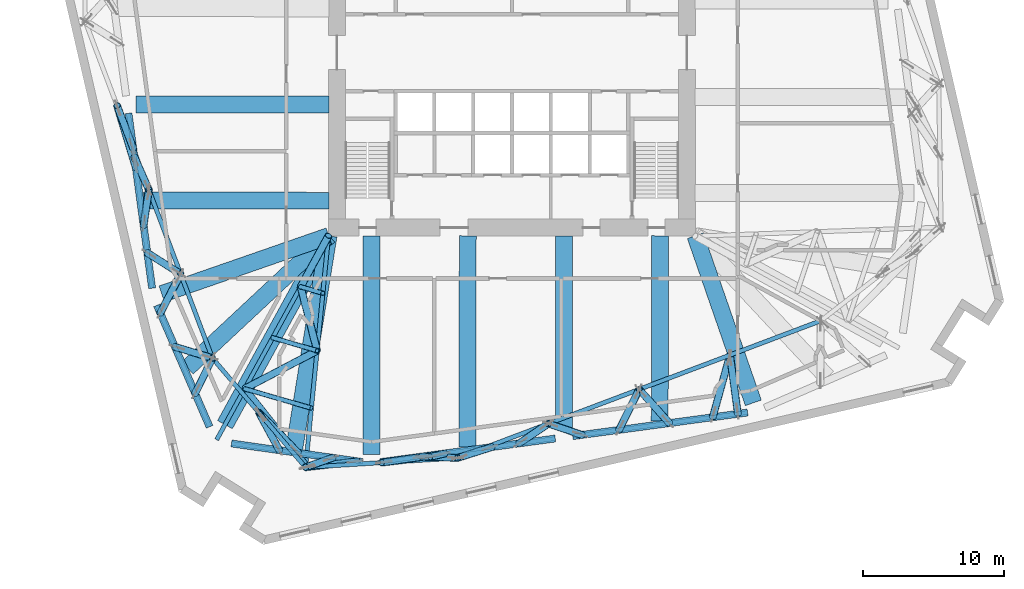
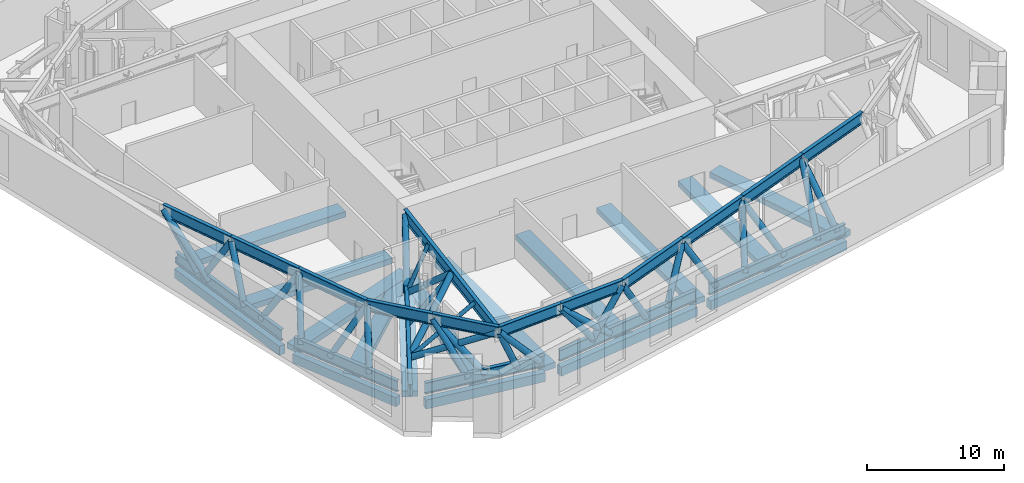
# One storey, part 1 of 17: 34 beams, 30 members.
"""IFC4 building model written with IfcOpenShell, lengths in metres."""

from ifc_helpers import new_model, si_unit, direction, frame, origin, origin_2d, place, context, subcontext, project, spatial, rectangle, hollow_circle, i_section, extrude, material, material_profile, profile_set, type_object, element, save


model = new_model("IFC4")

# Units and contexts
model_context = context("Model", 3, precision=1e-05, world=origin(), true_north=direction((0.0, 1.0)))
body_context = subcontext(model_context, "Body", "Model", "MODEL_VIEW")
ifc_project = project(units=[si_unit("LENGTHUNIT", "METRE"), si_unit("AREAUNIT", "SQUARE_METRE"), si_unit("VOLUMEUNIT", "CUBIC_METRE"), si_unit("PLANEANGLEUNIT", "RADIAN"), si_unit("MASSUNIT", "GRAM", prefix="KILO")], contexts=[model_context])

# Site, building, storey
site_placement = place(None, origin())
site = spatial("IfcSite", under=ifc_project, at=site_placement, CompositionType="ELEMENT")
building_placement = place(site_placement, origin())
building = spatial("IfcBuilding", under=site, at=building_placement, Name="Dilmun Exchange Tower", CompositionType="ELEMENT")
storey_placement = place(building_placement, frame((0.0, 0.0, 76.5)))
storey = spatial("IfcBuildingStorey", under=building, at=storey_placement, Name="L17", CompositionType="ELEMENT", Elevation=76.5)

# Beams
ifc_material_1 = material(Name="Concrete C40/50", Category="concrete")
ifc_material_profile_1 = material_profile(ifc_material_1, rectangle(XDim=1.199951171875, YDim=0.5, at=origin_2d()), Name="1200 x 500")
ifc_profile_set_1 = profile_set([ifc_material_profile_1], Name="Concrete C40/50")
beam_type_1 = type_object("IfcBeamType", Name="RC band beam 1200 x 500 C40/50", PredefinedType="BEAM", material=ifc_profile_set_1)
beam_1_placement = place(storey_placement, frame((-26.6240234375, -3.680908203125, -0.699951171875), z_axis=(1.0, 0.0, 0.0), x_axis=(0.0, 1.0, 0.0)))
element("IfcBeam", 1, at=beam_1_placement, inside=storey, type_object=beam_type_1, Name="Band beam 7", PredefinedType="BEAM", context=body_context, shape_type="SweptSolid", body=[
    extrude(rectangle(XDim=1.199951171875, YDim=0.5, at=origin_2d()), origin(), (0.0, 0.0, 1.0), 13.651123046875),
])
beam_2_placement = place(storey_placement, frame((-24.81103515625, -17.098388671875, -0.699951171875), z_axis=(0.94474023201, 0.327819910959, 0.0), x_axis=(-0.327819910959, 0.94474023201, 0.0)))
element("IfcBeam", 2, at=beam_2_placement, inside=storey, type_object=beam_type_1, Name="Band beam 8", PredefinedType="BEAM", context=body_context, shape_type="SweptSolid", body=[
    extrude(rectangle(XDim=1.199951171875, YDim=0.5, at=origin_2d()), origin(), (0.0, 0.0, 1.0), 12.52880859375),
])
beam_3_placement = place(storey_placement, frame((-20.333740234375, -26.355712890625, -0.699951171875), z_axis=(0.481315683699, 0.876547324806, 0.0), x_axis=(-0.876547324806, 0.481315683699, 0.0)))
element("IfcBeam", 3, at=beam_3_placement, inside=storey, type_object=beam_type_1, Name="Band beam 9", PredefinedType="BEAM", context=body_context, shape_type="SweptSolid", body=[
    extrude(rectangle(XDim=1.199951171875, YDim=0.5, at=origin_2d()), origin(), (0.0, 0.0, 1.0), 15.263671875),
])
beam_4_placement = place(storey_placement, frame((-9.945068359375, -28.464111328125, -0.699951171875), z_axis=(0.0, 1.0, 0.0), x_axis=(-1.0, 0.0, 0.0)))
element("IfcBeam", 4, at=beam_4_placement, inside=storey, type_object=beam_type_1, Name="Band beam 10", PredefinedType="BEAM", context=body_context, shape_type="SweptSolid", body=[
    extrude(rectangle(XDim=1.199951171875, YDim=0.5, at=origin_2d()), origin(), (0.0, 0.0, 1.0), 15.4912109375),
])
beam_5_placement = place(storey_placement, frame((3.680908203125, -26.6240234375, -0.699951171875), z_axis=(0.0, 1.0, 0.0), x_axis=(-1.0, 0.0, 0.0)))
element("IfcBeam", 5, at=beam_5_placement, inside=storey, type_object=beam_type_1, Name="Band beam 11", PredefinedType="BEAM", context=body_context, shape_type="SweptSolid", body=[
    extrude(rectangle(XDim=1.199951171875, YDim=0.5, at=origin_2d()), origin(), (0.0, 0.0, 1.0), 13.651123046875),
])
beam_6_placement = place(storey_placement, frame((17.098388671875, -24.81103515625, -0.699951171875), z_axis=(-0.327819910959, 0.94474023201, 0.0), x_axis=(-0.94474023201, -0.327819910959, 0.0)))
element("IfcBeam", 6, at=beam_6_placement, inside=storey, type_object=beam_type_1, Name="Band beam 12", PredefinedType="BEAM", context=body_context, shape_type="SweptSolid", body=[
    extrude(rectangle(XDim=1.199951171875, YDim=0.5, at=origin_2d()), origin(), (0.0, 0.0, 1.0), 12.52880859375),
])
beam_7_placement = place(storey_placement, frame((-26.111572265625, -10.464111328125, -0.699951171875), z_axis=(0.999997430402, -0.002266977971, 0.0), x_axis=(0.002266977971, 0.999997430402, 0.0)))
element("IfcBeam", 7, at=beam_7_placement, inside=storey, type_object=beam_type_1, Name="Band beam 23", PredefinedType="BEAM", context=body_context, shape_type="SweptSolid", body=[
    extrude(rectangle(XDim=1.199951171875, YDim=0.5, at=origin_2d()), origin(), (0.0, 0.0, 1.0), 13.138671875),
])
beam_8_placement = place(storey_placement, frame((-22.990966796875, -22.330322265625, -0.699951171875), z_axis=(0.730863195253, 0.682523984798, 0.0), x_axis=(-0.682523984798, 0.730863195253, 0.0)))
element("IfcBeam", 8, at=beam_8_placement, inside=storey, type_object=beam_type_1, Name="Band beam 24", PredefinedType="BEAM", context=body_context, shape_type="SweptSolid", body=[
    extrude(rectangle(XDim=1.199951171875, YDim=0.5, at=origin_2d()), origin(), (0.0, 0.0, 1.0), 13.697265625),
])
beam_9_placement = place(storey_placement, frame((-15.4306640625, -28.09130859375, -0.699951171875), z_axis=(0.159021400868, 0.98727513595, 0.0), x_axis=(-0.98727513595, 0.159021400868, 0.0)))
element("IfcBeam", 9, at=beam_9_placement, inside=storey, type_object=beam_type_1, Name="Band beam 25", PredefinedType="BEAM", context=body_context, shape_type="SweptSolid", body=[
    extrude(rectangle(XDim=1.199951171875, YDim=0.5, at=origin_2d()), origin(), (0.0, 0.0, 1.0), 15.312744140625),
])
beam_10_placement = place(storey_placement, frame((-3.161865234375, -27.951904296875, -0.699951171875), z_axis=(0.001988456479, 0.999998023018, 0.0), x_axis=(-0.999998023018, 0.001988456479, 0.0)))
element("IfcBeam", 10, at=beam_10_placement, inside=storey, type_object=beam_type_1, Name="Band beam 26", PredefinedType="BEAM", context=body_context, shape_type="SweptSolid", body=[
    extrude(rectangle(XDim=1.199951171875, YDim=0.5, at=origin_2d()), origin(), (0.0, 0.0, 1.0), 14.97900390625),
])
beam_11_placement = place(storey_placement, frame((10.464111328125, -26.111572265625, -0.699951171875), z_axis=(0.002266977971, 0.999997430402, 0.0), x_axis=(-0.999997430402, 0.002266977971, 0.0)))
element("IfcBeam", 11, at=beam_11_placement, inside=storey, type_object=beam_type_1, Name="Band beam 27", PredefinedType="BEAM", context=body_context, shape_type="SweptSolid", body=[
    extrude(rectangle(XDim=1.199951171875, YDim=0.5, at=origin_2d()), origin(), (0.0, 0.0, 1.0), 13.138671875),
])
ifc_material_profile_2 = material_profile(ifc_material_1, rectangle(XDim=0.5, YDim=0.800048828125, at=origin_2d()), Name="500 x 800")
ifc_profile_set_2 = profile_set([ifc_material_profile_2], Name="Concrete C40/50")
beam_type_2 = type_object("IfcBeamType", Name="RC ring beam 500 x 800 C40/50", PredefinedType="SPANDREL", material=ifc_profile_set_2)
beam_12_placement = place(storey_placement, frame((-27.169677734375, -4.29833984375, -0.85009765625), z_axis=(0.133902867012, -0.990994461239, 0.0), x_axis=(0.990994461239, 0.133902867012, 0.0)))
element("IfcBeam", 12, at=beam_12_placement, inside=storey, type_object=beam_type_2, Name="Ring beam 7", PredefinedType="SPANDREL", context=body_context, shape_type="SweptSolid", body=[
    extrude(rectangle(XDim=0.5, YDim=0.800048828125, at=origin_2d()), origin(), (0.0, 0.0, 1.0), 12.50390625),
])
beam_13_placement = place(storey_placement, frame((-25.154052734375, -17.90185546875, -0.85009765625), z_axis=(0.397811233459, -0.917467286901, 0.0), x_axis=(0.917467286901, 0.397811233459, 0.0)))
element("IfcBeam", 13, at=beam_13_placement, inside=storey, type_object=beam_type_2, Name="Ring beam 8", PredefinedType="SPANDREL", context=body_context, shape_type="SweptSolid", body=[
    extrude(rectangle(XDim=0.5, YDim=0.800048828125, at=origin_2d()), origin(), (0.0, 0.0, 1.0), 9.37939453125),
])
beam_14_placement = place(storey_placement, frame((-19.8740234375, -27.6875, -0.85009765625), z_axis=(0.990128292788, -0.140164060375, 0.0), x_axis=(0.140164060375, 0.990128292788, 0.0)))
element("IfcBeam", 14, at=beam_14_placement, inside=storey, type_object=beam_type_2, Name="Ring beam 9", PredefinedType="SPANDREL", context=body_context, shape_type="SweptSolid", body=[
    extrude(rectangle(XDim=0.5, YDim=0.800048828125, at=origin_2d()), origin(), (0.0, 0.0, 1.0), 9.379638671875),
])
for number, where, z_axis, x_axis, name in (
    (15, (-9.32763671875, -29.009521484375, -0.85009765625), (0.991007411355, 0.133806990248, 0.0), (-0.133806990248, 0.991007411355, 0.0), "Ring beam 10"),
    (16, (4.29833984375, -27.169677734375, -0.85009765625), (0.990994461239, 0.133902867012, 0.0), (-0.133902867012, 0.990994461239, 0.0), "Ring beam 11"),
):
    element("IfcBeam", number, at=place(storey_placement, frame(where, z_axis=z_axis, x_axis=x_axis)), inside=storey, type_object=beam_type_2, Name=name, PredefinedType="SPANDREL", context=body_context, shape_type="SweptSolid", body=[
        extrude(rectangle(XDim=0.5, YDim=0.800048828125, at=origin_2d()), origin(), (0.0, 0.0, 1.0), 12.50390625),
    ])
ifc_material_2 = material(Name="Steel S355", Category="steel")
ifc_material_profile_3 = material_profile(ifc_material_2, i_section(OverallWidth=0.300048828125, OverallDepth=1.0, WebThickness=0.01904296875, FlangeThickness=0.035888671875, FilletRadius=0.030029296875, at=origin_2d()), Name="HEB 1000")
ifc_profile_set_3 = profile_set([ifc_material_profile_3], Name="Steel S355")
beam_type_3 = type_object("IfcBeamType", Name="belt bottom chord HEB 1000", PredefinedType="BEAM", material=ifc_profile_set_3)
beam_15_placement = place(storey_placement, frame((-27.169677734375, -4.29833984375, 0.5), z_axis=(0.133902867012, -0.990994461239, 0.0), x_axis=(0.990994461239, 0.133902867012, 0.0)))
element("IfcBeam", 17, at=beam_15_placement, inside=storey, type_object=beam_type_3, Name="Belt bottom chord 7", PredefinedType="BEAM", context=body_context, shape_type="SweptSolid", body=[
    extrude(i_section(OverallWidth=0.300048828125, OverallDepth=1.0, WebThickness=0.01904296875, FlangeThickness=0.035888671875, FilletRadius=0.030029296875, at=origin_2d()), origin(), (0.0, 0.0, 1.0), 12.50390625),
])
beam_16_placement = place(storey_placement, frame((-25.154052734375, -17.90185546875, 0.5), z_axis=(0.397811233459, -0.917467286901, 0.0), x_axis=(0.917467286901, 0.397811233459, 0.0)))
element("IfcBeam", 18, at=beam_16_placement, inside=storey, type_object=beam_type_3, Name="Belt bottom chord 8", PredefinedType="BEAM", context=body_context, shape_type="SweptSolid", body=[
    extrude(i_section(OverallWidth=0.300048828125, OverallDepth=1.0, WebThickness=0.01904296875, FlangeThickness=0.035888671875, FilletRadius=0.030029296875, at=origin_2d()), origin(), (0.0, 0.0, 1.0), 9.37939453125),
])
beam_17_placement = place(storey_placement, frame((-19.8740234375, -27.6875, 0.5), z_axis=(0.990128292788, -0.140164060375, 0.0), x_axis=(0.140164060375, 0.990128292788, 0.0)))
element("IfcBeam", 19, at=beam_17_placement, inside=storey, type_object=beam_type_3, Name="Belt bottom chord 9", PredefinedType="BEAM", context=body_context, shape_type="SweptSolid", body=[
    extrude(i_section(OverallWidth=0.300048828125, OverallDepth=1.0, WebThickness=0.01904296875, FlangeThickness=0.035888671875, FilletRadius=0.030029296875, at=origin_2d()), origin(), (0.0, 0.0, 1.0), 9.379638671875),
])
for number, where, z_axis, x_axis, name in (
    (20, (-9.32763671875, -29.009521484375, 0.5), (0.991007411355, 0.133806990248, 0.0), (-0.133806990248, 0.991007411355, 0.0), "Belt bottom chord 10"),
    (21, (4.29833984375, -27.169677734375, 0.5), (0.990994461239, 0.133902867012, 0.0), (-0.133902867012, 0.990994461239, 0.0), "Belt bottom chord 11"),
):
    element("IfcBeam", number, at=place(storey_placement, frame(where, z_axis=z_axis, x_axis=x_axis)), inside=storey, type_object=beam_type_3, Name=name, PredefinedType="BEAM", context=body_context, shape_type="SweptSolid", body=[
        extrude(i_section(OverallWidth=0.300048828125, OverallDepth=1.0, WebThickness=0.01904296875, FlangeThickness=0.035888671875, FilletRadius=0.030029296875, at=origin_2d()), origin(), (0.0, 0.0, 1.0), 12.50390625),
    ])
ifc_material_profile_4 = material_profile(ifc_material_2, i_section(OverallWidth=0.300048828125, OverallDepth=1.0, WebThickness=0.01904296875, FlangeThickness=0.035888671875, FilletRadius=0.030029296875, at=origin_2d()), Name="HEB 1000")
ifc_profile_set_4 = profile_set([ifc_material_profile_4], Name="Steel S355")
beam_type_4 = type_object("IfcBeamType", Name="outrigger chord HEB 1000", PredefinedType="BEAM", material=ifc_profile_set_4)
beam_18_placement = place(storey_placement, frame((-12.987060546875, -12.976318359375, 0.5), z_axis=(-0.481319292784, -0.876545343034, 0.0), x_axis=(0.876545343034, -0.481319292784, 0.0)))
element("IfcBeam", 22, at=beam_18_placement, inside=storey, type_object=beam_type_4, Name="Outrigger bottom chord 3", PredefinedType="BEAM", context=body_context, shape_type="SweptSolid", body=[
    extrude(i_section(OverallWidth=0.300048828125, OverallDepth=1.0, WebThickness=0.01904296875, FlangeThickness=0.035888671875, FilletRadius=0.030029296875, at=origin_2d()), origin(), (0.0, 0.0, 1.0), 16.4814453125),
])
beam_19_placement = place(storey_placement, frame((-12.997314453125, -12.97314453125, 4.580078125), z_axis=(-0.098807762359, -0.995106540074, 0.0), x_axis=(0.995106540074, -0.098807762359, 0.0)))
element("IfcBeam", 23, at=beam_19_placement, inside=storey, type_object=beam_type_4, Name="Outrigger top chord 3", PredefinedType="BEAM", context=body_context, shape_type="SweptSolid", body=[
    extrude(i_section(OverallWidth=0.300048828125, OverallDepth=1.0, WebThickness=0.01904296875, FlangeThickness=0.035888671875, FilletRadius=0.030029296875, at=origin_2d()), origin(), (0.0, 0.0, 1.0), 16.359619140625),
])

# Members
ifc_material_profile_5 = material_profile(ifc_material_2, hollow_circle(Radius=0.161865234375, WallThickness=0.01611328125, at=origin_2d()), Name="CHS 323.9x16")
ifc_profile_set_5 = profile_set([ifc_material_profile_5], Name="Steel S355")
member_type_1 = type_object("IfcMemberType", Name="outrigger post CHS 323.9x16", PredefinedType="POST", material=ifc_profile_set_5)
member_1_placement = place(storey_placement, frame((-13.4013671875, -17.04296875, 4.580078125), z_axis=(-0.356967546074, 0.103546141594, -0.928360042015), x_axis=(-0.278587866505, -0.960410745794, 0.0)))
element("IfcMember", 24, at=member_1_placement, inside=storey, type_object=member_type_1, Name="Outrigger post 3.1", PredefinedType="POST", context=body_context, shape_type="SweptSolid", body=[
    extrude(hollow_circle(Radius=0.161865234375, WallThickness=0.01611328125, at=origin_2d()), origin(), (0.0, 0.0, 1.0), 4.39501953125),
])
member_2_placement = place(storey_placement, frame((-13.805419921875, -21.11279296875, 4.580078125), z_axis=(-0.601490739115, 0.174466834519, -0.779596186761), x_axis=(-0.278575293113, -0.960414392888, 0.0)))
element("IfcMember", 25, at=member_2_placement, inside=storey, type_object=member_type_1, Name="Outrigger post 3.2", PredefinedType="POST", context=body_context, shape_type="SweptSolid", body=[
    extrude(hollow_circle(Radius=0.161865234375, WallThickness=0.01611328125, at=origin_2d()), origin(), (0.0, 0.0, 1.0), 5.233642578125),
])
member_3_placement = place(storey_placement, frame((-14.209716796875, -25.1826171875, 4.580078125), z_axis=(-0.739379574537, 0.214470104364, -0.638216592617), x_axis=(-0.278584391759, -0.960411753712, 0.0)))
element("IfcMember", 26, at=member_3_placement, inside=storey, type_object=member_type_1, Name="Outrigger post 3.3", PredefinedType="POST", context=body_context, shape_type="SweptSolid", body=[
    extrude(hollow_circle(Radius=0.161865234375, WallThickness=0.01611328125, at=origin_2d()), origin(), (0.0, 0.0, 1.0), 6.392822265625),
])

# Beams
ifc_material_profile_6 = material_profile(ifc_material_2, i_section(OverallWidth=0.302001953125, OverallDepth=1.008056640625, WebThickness=0.02099609375, FlangeThickness=0.0400390625, FilletRadius=0.030029296875, at=origin_2d()), Name="HEM 1000")
ifc_profile_set_6 = profile_set([ifc_material_profile_6], Name="Steel S355")
beam_type_5 = type_object("IfcBeamType", Name="transfer chord HEM 1000", PredefinedType="BEAM", material=ifc_profile_set_6)
beam_20_placement = place(storey_placement, frame((-27.978515625, -3.75341796875, 4.676025390625), z_axis=(0.353334283406, -0.935497132101, 0.0), x_axis=(0.935497132101, 0.353334283406, 0.0)))
element("IfcBeam", 27, at=beam_20_placement, inside=storey, type_object=beam_type_5, Name="Transfer chord 12", PredefinedType="BEAM", context=body_context, shape_type="SweptSolid", body=[
    extrude(i_section(OverallWidth=0.302001953125, OverallDepth=1.008056640625, WebThickness=0.02099609375, FlangeThickness=0.0400390625, FilletRadius=0.030029296875, at=origin_2d()), origin(), (0.0, 0.0, 1.0), 6.374755859375),
])
for number, where, z_axis, x_axis, name in (
    (28, (-25.72607421875, -9.717041015625, 4.676025390625), (0.353355139646, -0.9354892545, 0.0), (0.9354892545, 0.353355139646, 0.0), "Transfer chord 13"),
    (29, (-23.473388671875, -15.680908203125, 4.676025390625), (0.353308967023, -0.935506693627, 0.0), (0.935506693627, 0.353308967023, 0.0), "Transfer chord 14"),
):
    element("IfcBeam", number, at=place(storey_placement, frame(where, z_axis=z_axis, x_axis=x_axis)), inside=storey, type_object=beam_type_5, Name=name, PredefinedType="BEAM", context=body_context, shape_type="SweptSolid", body=[
        extrude(i_section(OverallWidth=0.302001953125, OverallDepth=1.008056640625, WebThickness=0.02099609375, FlangeThickness=0.0400390625, FilletRadius=0.030029296875, at=origin_2d()), origin(), (0.0, 0.0, 1.0), 6.375244140625),
    ])
beam_21_placement = place(storey_placement, frame((-21.220947265625, -21.64501953125, 4.676025390625), z_axis=(0.648985056167, -0.76080115462, 0.0), x_axis=(0.76080115462, 0.648985056167, 0.0)))
element("IfcBeam", 30, at=beam_21_placement, inside=storey, type_object=beam_type_5, Name="Transfer chord 15", PredefinedType="BEAM", context=body_context, shape_type="SweptSolid", body=[
    extrude(i_section(OverallWidth=0.302001953125, OverallDepth=1.008056640625, WebThickness=0.02099609375, FlangeThickness=0.0400390625, FilletRadius=0.030029296875, at=origin_2d()), origin(), (0.0, 0.0, 1.0), 5.080810546875),
])
beam_22_placement = place(storey_placement, frame((-17.923583984375, -25.510498046875, 4.676025390625), z_axis=(0.649012868023, -0.760777429437, 0.0), x_axis=(0.760777429437, 0.649012868023, 0.0)))
element("IfcBeam", 31, at=beam_22_placement, inside=storey, type_object=beam_type_5, Name="Transfer chord 16", PredefinedType="BEAM", context=body_context, shape_type="SweptSolid", body=[
    extrude(i_section(OverallWidth=0.302001953125, OverallDepth=1.008056640625, WebThickness=0.02099609375, FlangeThickness=0.0400390625, FilletRadius=0.030029296875, at=origin_2d()), origin(), (0.0, 0.0, 1.0), 5.0810546875),
])
for number, where, z_axis, x_axis, name in (
    (32, (-14.6259765625, -29.3759765625, 4.676025390625), (0.998116645786, 0.06134461187, 0.0), (-0.06134461187, 0.998116645786, 0.0), "Transfer chord 17"),
    (33, (-9.239501953125, -29.044921875, 4.676025390625), (0.998119414742, 0.061299542536, 0.0), (-0.061299542536, 0.998119414742, 0.0), "Transfer chord 18"),
):
    element("IfcBeam", number, at=place(storey_placement, frame(where, z_axis=z_axis, x_axis=x_axis)), inside=storey, type_object=beam_type_5, Name=name, PredefinedType="BEAM", context=body_context, shape_type="SweptSolid", body=[
        extrude(i_section(OverallWidth=0.302001953125, OverallDepth=1.008056640625, WebThickness=0.02099609375, FlangeThickness=0.0400390625, FilletRadius=0.030029296875, at=origin_2d()), origin(), (0.0, 0.0, 1.0), 5.396728515625),
    ])
beam_23_placement = place(storey_placement, frame((-3.85302734375, -28.714111328125, 4.676025390625), z_axis=(0.935474180666, 0.35339504426, 0.0), x_axis=(-0.35339504426, 0.935474180666, 0.0)))
element("IfcBeam", 34, at=beam_23_placement, inside=storey, type_object=beam_type_5, Name="Transfer chord 19", PredefinedType="BEAM", context=body_context, shape_type="SweptSolid", body=[
    extrude(i_section(OverallWidth=0.302001953125, OverallDepth=1.008056640625, WebThickness=0.02099609375, FlangeThickness=0.0400390625, FilletRadius=0.030029296875, at=origin_2d()), origin(), (0.0, 0.0, 1.0), 6.875244140625),
])
for number, where, z_axis, x_axis, name in (
    (35, (2.57861328125, -26.284423828125, 4.676025390625), (0.935481485335, 0.35337570742, 0.0), (-0.35337570742, 0.935481485335, 0.0), "Transfer chord 20"),
    (36, (9.010009765625, -23.85498046875, 4.676025390625), (0.935481485335, 0.35337570742, 0.0), (-0.35337570742, 0.935481485335, 0.0), "Transfer chord 21"),
):
    element("IfcBeam", number, at=place(storey_placement, frame(where, z_axis=z_axis, x_axis=x_axis)), inside=storey, type_object=beam_type_5, Name=name, PredefinedType="BEAM", context=body_context, shape_type="SweptSolid", body=[
        extrude(i_section(OverallWidth=0.302001953125, OverallDepth=1.008056640625, WebThickness=0.02099609375, FlangeThickness=0.0400390625, FilletRadius=0.030029296875, at=origin_2d()), origin(), (0.0, 0.0, 1.0), 6.875),
    ])
beam_24_placement = place(storey_placement, frame((15.44140625, -21.425537109375, 4.676025390625), z_axis=(0.935485919601, 0.353363968492, 0.0), x_axis=(-0.353363968492, 0.935485919601, 0.0)))
element("IfcBeam", 37, at=beam_24_placement, inside=storey, type_object=beam_type_5, Name="Transfer chord 22", PredefinedType="BEAM", context=body_context, shape_type="SweptSolid", body=[
    extrude(i_section(OverallWidth=0.302001953125, OverallDepth=1.008056640625, WebThickness=0.02099609375, FlangeThickness=0.0400390625, FilletRadius=0.030029296875, at=origin_2d()), origin(), (0.0, 0.0, 1.0), 6.875244140625),
])

# Members
ifc_material_profile_7 = material_profile(ifc_material_2, hollow_circle(Radius=0.25390625, WallThickness=0.030029296875, at=origin_2d()), Name="CHS 508x30")
ifc_profile_set_7 = profile_set([ifc_material_profile_7], Name="Steel S355")
member_type_2 = type_object("IfcMemberType", Name="truss diagonal CHS 508x30", PredefinedType="BRACE", material=ifc_profile_set_7)
member_4_placement = place(storey_placement, frame((-27.978515625, -3.75341796875, 4.676025390625), z_axis=(0.216571601497, -0.572608842635, -0.790705921795), x_axis=(0.935335558702, 0.353761773837, 0.0)))
element("IfcMember", 38, at=member_4_placement, inside=storey, type_object=member_type_2, Name="Truss diagonal 23", PredefinedType="BRACE", context=body_context, shape_type="SweptSolid", body=[
    extrude(hollow_circle(Radius=0.25390625, WallThickness=0.030029296875, at=origin_2d()), origin(), (0.0, 0.0, 1.0), 5.281494140625),
])
member_5_placement = place(storey_placement, frame((-27.978515625, -3.75341796875, 4.676025390625), z_axis=(0.214075176303, -0.709396375535, -0.671512175071), x_axis=(0.957358404715, 0.288902898778, 0.0)))
element("IfcMember", 39, at=member_5_placement, inside=storey, type_object=member_type_2, Name="Truss diagonal 24", PredefinedType="BRACE", context=body_context, shape_type="SweptSolid", body=[
    extrude(hollow_circle(Radius=0.25390625, WallThickness=0.030029296875, at=origin_2d()), origin(), (0.0, 0.0, 1.0), 6.21875),
])
for number, where, z_axis, x_axis, name in (
    (40, (-25.72607421875, -9.717041015625, 4.676025390625), (-0.075747247785, -0.515510419547, -0.853528770336), (0.989376562694, -0.145375435308, 0.0), "Truss diagonal 25"),
    (41, (-25.72607421875, -9.717041015625, 4.676025390625), (-0.209825946938, 0.47693612386, -0.853525046937), (-0.915333388801, -0.402696892646, 0.0), "Truss diagonal 26"),
):
    element("IfcMember", number, at=place(storey_placement, frame(where, z_axis=z_axis, x_axis=x_axis)), inside=storey, type_object=member_type_2, Name=name, PredefinedType="BRACE", context=body_context, shape_type="SweptSolid", body=[
        extrude(hollow_circle(Radius=0.25390625, WallThickness=0.030029296875, at=origin_2d()), origin(), (0.0, 0.0, 1.0), 4.892578125),
    ])
member_6_placement = place(storey_placement, frame((-23.473388671875, -15.680908203125, 4.676025390625), z_axis=(-0.276523951506, -0.531373518461, -0.800735092351), x_axis=(0.887073451787, -0.461628304088, 0.0)))
element("IfcMember", 42, at=member_6_placement, inside=storey, type_object=member_type_2, Name="Truss diagonal 27", PredefinedType="BRACE", context=body_context, shape_type="SweptSolid", body=[
    extrude(hollow_circle(Radius=0.25390625, WallThickness=0.030029296875, at=origin_2d()), origin(), (0.0, 0.0, 1.0), 5.21533203125),
])
member_7_placement = place(storey_placement, frame((-23.473388671875, -15.680908203125, 4.676025390625), z_axis=(-0.469743076161, 0.297955764412, -0.831001687635), x_axis=(-0.535631655677, -0.844451733041, 0.0)))
element("IfcMember", 43, at=member_7_placement, inside=storey, type_object=member_type_2, Name="Truss diagonal 28", PredefinedType="BRACE", context=body_context, shape_type="SweptSolid", body=[
    extrude(hollow_circle(Radius=0.25390625, WallThickness=0.030029296875, at=origin_2d()), origin(), (0.0, 0.0, 1.0), 5.025390625),
])
for number, where, z_axis, x_axis, name in (
    (44, (-21.220947265625, -21.64501953125, 4.676025390625), (-0.244864129485, -0.497222113488, -0.832353126954), (0.89711500305, -0.441797092909, 0.0), "Truss diagonal 29"),
    (45, (-21.220947265625, -21.64501953125, 4.676025390625), (-0.530311498435, 0.161117762096, -0.832352558334), (-0.290696924001, -0.956815185068, 0.0), "Truss diagonal 30"),
):
    element("IfcMember", number, at=place(storey_placement, frame(where, z_axis=z_axis, x_axis=x_axis)), inside=storey, type_object=member_type_2, Name=name, PredefinedType="BRACE", context=body_context, shape_type="SweptSolid", body=[
        extrude(hollow_circle(Radius=0.25390625, WallThickness=0.030029296875, at=origin_2d()), origin(), (0.0, 0.0, 1.0), 5.01708984375),
    ])
member_8_placement = place(storey_placement, frame((-17.923583984375, -25.510498046875, 4.676025390625), z_axis=(0.481778679122, -0.49354693084, -0.724086135347), x_axis=(0.715586623562, 0.698524004011, 0.0)))
element("IfcMember", 46, at=member_8_placement, inside=storey, type_object=member_type_2, Name="Truss diagonal 31", PredefinedType="BRACE", context=body_context, shape_type="SweptSolid", body=[
    extrude(hollow_circle(Radius=0.25390625, WallThickness=0.030029296875, at=origin_2d()), origin(), (0.0, 0.0, 1.0), 5.767333984375),
])
member_9_placement = place(storey_placement, frame((-17.923583984375, -25.510498046875, 4.676025390625), z_axis=(0.279688076147, -0.515381871436, -0.810034632998), x_axis=(0.878918245948, 0.476972448826, 0.0)))
element("IfcMember", 47, at=member_9_placement, inside=storey, type_object=member_type_2, Name="Truss diagonal 32", PredefinedType="BRACE", context=body_context, shape_type="SweptSolid", body=[
    extrude(hollow_circle(Radius=0.25390625, WallThickness=0.030029296875, at=origin_2d()), origin(), (0.0, 0.0, 1.0), 5.1552734375),
])
member_10_placement = place(storey_placement, frame((-14.6259765625, -29.3759765625, 4.676025390625), z_axis=(0.660345798279, 0.075696472312, -0.74713684876), x_axis=(-0.113885755141, 0.99349385241, 0.0)))
element("IfcMember", 48, at=member_10_placement, inside=storey, type_object=member_type_2, Name="Truss diagonal 33", PredefinedType="BRACE", context=body_context, shape_type="SweptSolid", body=[
    extrude(hollow_circle(Radius=0.25390625, WallThickness=0.030029296875, at=origin_2d()), origin(), (0.0, 0.0, 1.0), 5.58935546875),
])
member_11_placement = place(storey_placement, frame((-14.6259765625, -29.3759765625, 4.676025390625), z_axis=(0.41215259945, 0.145341896514, -0.899447590404), x_axis=(-0.332568356479, 0.943079152706, 0.0)))
element("IfcMember", 49, at=member_11_placement, inside=storey, type_object=member_type_2, Name="Truss diagonal 34", PredefinedType="BRACE", context=body_context, shape_type="SweptSolid", body=[
    extrude(hollow_circle(Radius=0.25390625, WallThickness=0.030029296875, at=origin_2d()), origin(), (0.0, 0.0, 1.0), 4.642822265625),
])
member_12_placement = place(storey_placement, frame((-9.239501953125, -29.044921875, 4.676025390625), z_axis=(0.595790522163, 0.085728779295, -0.798551332164), x_axis=(-0.142423948294, 0.98980574809, 0.0)))
element("IfcMember", 50, at=member_12_placement, inside=storey, type_object=member_type_2, Name="Truss diagonal 35", PredefinedType="BRACE", context=body_context, shape_type="SweptSolid", body=[
    extrude(hollow_circle(Radius=0.25390625, WallThickness=0.030029296875, at=origin_2d()), origin(), (0.0, 0.0, 1.0), 4.983642578125),
])
member_13_placement = place(storey_placement, frame((-9.239501953125, -29.044921875, 4.676025390625), z_axis=(0.730479495415, 0.086535476572, -0.677429935914), x_axis=(-0.117641340588, 0.993056148959, 0.0)))
element("IfcMember", 51, at=member_13_placement, inside=storey, type_object=member_type_2, Name="Truss diagonal 36", PredefinedType="BRACE", context=body_context, shape_type="SweptSolid", body=[
    extrude(hollow_circle(Radius=0.25390625, WallThickness=0.030029296875, at=origin_2d()), origin(), (0.0, 0.0, 1.0), 4.71728515625),
])
member_14_placement = place(storey_placement, frame((-5.793701171875, -28.63671875, 1.48046875), z_axis=(0.722578238885, 0.168918728979, -0.670333612234), x_axis=(-0.227634906791, 0.973746552862, 0.0)))
element("IfcMember", 52, at=member_14_placement, inside=storey, type_object=member_type_2, Name="Truss diagonal 36B", PredefinedType="BRACE", context=body_context, shape_type="SweptSolid", body=[
    extrude(hollow_circle(Radius=0.25390625, WallThickness=0.030029296875, at=origin_2d()), origin(), (0.0, 0.0, 1.0), 1.462646484375),
])
for number, where, z_axis, x_axis, name in (
    (53, (-3.85302734375, -28.714111328125, 4.676025390625), (0.494927204045, 0.157615355684, -0.854520018694), (-0.303445810096, 0.952848697504, 0.0), "Truss diagonal 37"),
    (54, (-3.85302734375, -28.714111328125, 4.676025390625), (-0.519006069228, 0.020732266698, -0.854519088858), (-0.039914264118, -0.999203108242, 0.0), "Truss diagonal 38"),
):
    element("IfcMember", number, at=place(storey_placement, frame(where, z_axis=z_axis, x_axis=x_axis)), inside=storey, type_object=member_type_2, Name=name, PredefinedType="BRACE", context=body_context, shape_type="SweptSolid", body=[
        extrude(hollow_circle(Radius=0.25390625, WallThickness=0.030029296875, at=origin_2d()), origin(), (0.0, 0.0, 1.0), 4.886962890625),
    ])
member_15_placement = place(storey_placement, frame((2.57861328125, -26.284423828125, 4.676025390625), z_axis=(0.488129163984, -0.163494951526, -0.857321013445), x_axis=(0.317600262538, 0.948224695542, 0.0)))
element("IfcMember", 55, at=member_15_placement, inside=storey, type_object=member_type_2, Name="Truss diagonal 39", PredefinedType="BRACE", context=body_context, shape_type="SweptSolid", body=[
    extrude(hollow_circle(Radius=0.25390625, WallThickness=0.030029296875, at=origin_2d()), origin(), (0.0, 0.0, 1.0), 4.87109375),
])
member_16_placement = place(storey_placement, frame((2.57861328125, -26.284423828125, 4.676025390625), z_axis=(-0.427359657304, -0.28712835425, -0.857275353369), x_axis=(0.557684335127, -0.8300531202, 0.0)))
element("IfcMember", 56, at=member_16_placement, inside=storey, type_object=member_type_2, Name="Truss diagonal 40", PredefinedType="BRACE", context=body_context, shape_type="SweptSolid", body=[
    extrude(hollow_circle(Radius=0.25390625, WallThickness=0.030029296875, at=origin_2d()), origin(), (0.0, 0.0, 1.0), 4.871337890625),
])
for number, where, z_axis, x_axis, name in (
    (57, (9.010009765625, -23.85498046875, 4.676025390625), (0.406284382623, -0.45371977676, -0.793140192282), (0.744976423695, 0.667090794524, 0.0), "Truss diagonal 41"),
    (58, (9.010009765625, -23.85498046875, 4.676025390625), (-0.271300716169, -0.545290791686, -0.793129165968), (0.895308574563, -0.445446468517, 0.0), "Truss diagonal 42"),
):
    element("IfcMember", number, at=place(storey_placement, frame(where, z_axis=z_axis, x_axis=x_axis)), inside=storey, type_object=member_type_2, Name=name, PredefinedType="BRACE", context=body_context, shape_type="SweptSolid", body=[
        extrude(hollow_circle(Radius=0.25390625, WallThickness=0.030029296875, at=origin_2d()), origin(), (0.0, 0.0, 1.0), 5.26513671875),
    ])
member_17_placement = place(storey_placement, frame((15.44140625, -21.425537109375, 4.676025390625), z_axis=(0.094967568572, -0.702776494862, -0.705043515813), x_axis=(0.990992847355, 0.133914810575, 0.0)))
element("IfcMember", 59, at=member_17_placement, inside=storey, type_object=member_type_2, Name="Truss diagonal 43", PredefinedType="BRACE", context=body_context, shape_type="SweptSolid", body=[
    extrude(hollow_circle(Radius=0.25390625, WallThickness=0.030029296875, at=origin_2d()), origin(), (0.0, 0.0, 1.0), 5.923095703125),
])
member_18_placement = place(storey_placement, frame((15.44140625, -21.425537109375, 4.676025390625), z_axis=(-0.197269687447, -0.711346132044, -0.67458976485), x_axis=(0.963631867537, -0.267233276122, 0.0)))
element("IfcMember", 60, at=member_18_placement, inside=storey, type_object=member_type_2, Name="Truss diagonal 44", PredefinedType="BRACE", context=body_context, shape_type="SweptSolid", body=[
    extrude(hollow_circle(Radius=0.25390625, WallThickness=0.030029296875, at=origin_2d()), origin(), (0.0, 0.0, 1.0), 6.1904296875),
])
member_19_placement = place(storey_placement, frame((-12.997314453125, -12.97314453125, 4.580078125), z_axis=(-0.340328469058, -0.623549475668, -0.703819994418), x_axis=(0.8777709318, -0.47908056868, 0.0)))
element("IfcMember", 61, at=member_19_placement, inside=storey, type_object=member_type_2, Name="Outrigger diagonal 3.0", PredefinedType="BRACE", context=body_context, shape_type="SweptSolid", body=[
    extrude(hollow_circle(Radius=0.25390625, WallThickness=0.030029296875, at=origin_2d()), origin(), (0.0, 0.0, 1.0), 5.797119140625),
])
member_20_placement = place(storey_placement, frame((-13.805419921875, -21.11279296875, 4.580078125), z_axis=(-0.187776074321, 0.729457506072, -0.657747590454), x_axis=(-0.968428446032, -0.249291686415, 0.0)))
element("IfcMember", 62, at=member_20_placement, inside=storey, type_object=member_type_2, Name="Outrigger diagonal 3.1", PredefinedType="BRACE", context=body_context, shape_type="SweptSolid", body=[
    extrude(hollow_circle(Radius=0.25390625, WallThickness=0.030029296875, at=origin_2d()), origin(), (0.0, 0.0, 1.0), 6.203125),
])
member_21_placement = place(storey_placement, frame((-13.805419921875, -21.11279296875, 4.580078125), z_axis=(-0.723779731403, -0.380675698288, -0.575524902279), x_axis=(0.465496487867, -0.885049727294, 0.0)))
element("IfcMember", 63, at=member_21_placement, inside=storey, type_object=member_type_2, Name="Outrigger diagonal 3.2", PredefinedType="BRACE", context=body_context, shape_type="SweptSolid", body=[
    extrude(hollow_circle(Radius=0.25390625, WallThickness=0.030029296875, at=origin_2d()), origin(), (0.0, 0.0, 1.0), 7.08935546875),
])
member_22_placement = place(storey_placement, frame((-14.61376953125, -29.252685546875, 4.580078125), z_axis=(-0.536421400137, 0.675207485872, -0.506307152326), x_axis=(-0.782982511215, -0.622043718023, 0.0)))
element("IfcMember", 64, at=member_22_placement, inside=storey, type_object=member_type_2, Name="Outrigger diagonal 3.3", PredefinedType="BRACE", context=body_context, shape_type="SweptSolid", body=[
    extrude(hollow_circle(Radius=0.25390625, WallThickness=0.030029296875, at=origin_2d()), origin(), (0.0, 0.0, 1.0), 8.05859375),
])

save(model, "model.ifc")
